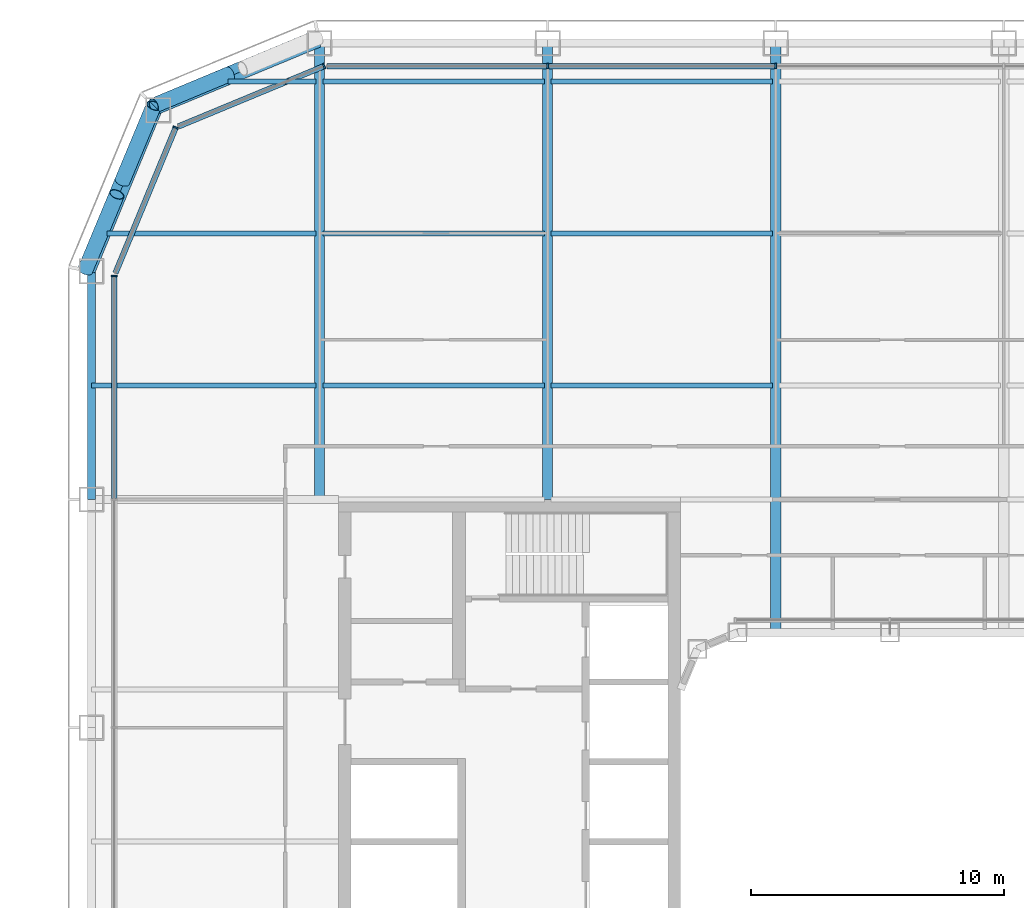
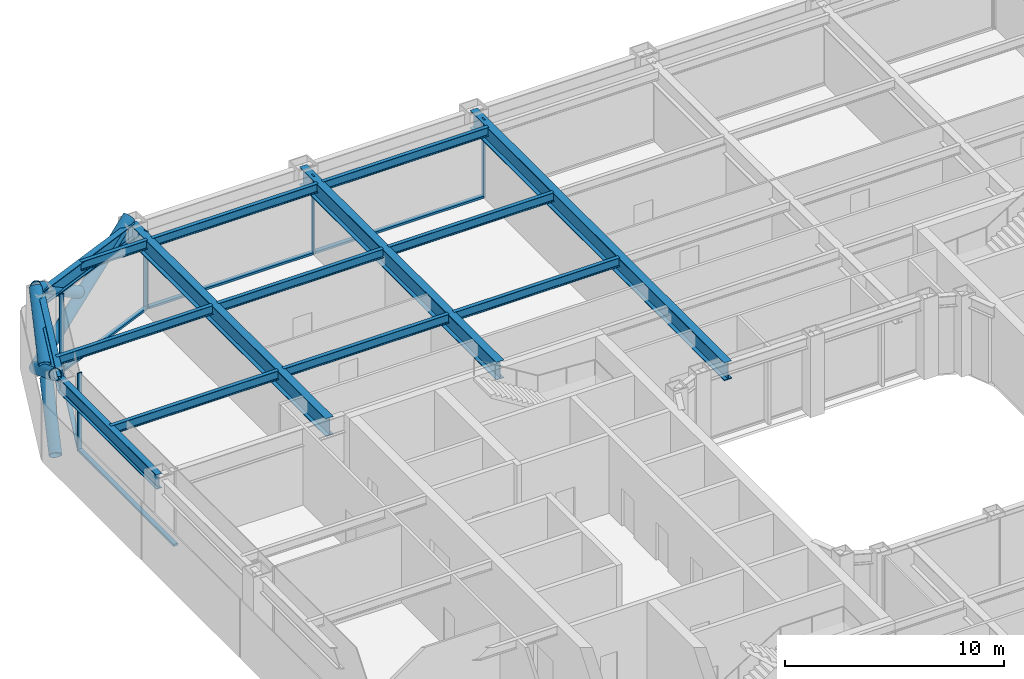
# One storey, part 7 of 27: 15 beams, 15 members, 4 elements without a shape of their own.
"""IFC4 building model written with IfcOpenShell, lengths in metres."""

from ifc_helpers import new_model, si_unit, direction, frame, origin, origin_2d, place, context, subcontext, project, spatial, rectangle, hollow_circle, i_section, extrude, material, layer, layer_set, material_profile, profile_set, type_object, element, aggregate, save


model = new_model("IFC4")

# Units and contexts
model_context = context("Model", 3, precision=1e-05, world=origin(), true_north=direction((0.0, 1.0)))
body_context = subcontext(model_context, "Body", "Model", "MODEL_VIEW")
ifc_project = project(units=[si_unit("LENGTHUNIT", "METRE"), si_unit("AREAUNIT", "SQUARE_METRE"), si_unit("VOLUMEUNIT", "CUBIC_METRE"), si_unit("PLANEANGLEUNIT", "RADIAN"), si_unit("MASSUNIT", "GRAM", prefix="KILO")], contexts=[model_context])

# Site, building, storey
site_placement = place(None, origin())
site = spatial("IfcSite", under=ifc_project, at=site_placement, CompositionType="ELEMENT")
building_placement = place(site_placement, origin())
building = spatial("IfcBuilding", under=site, at=building_placement, Name="Siwar Civic Tower", CompositionType="ELEMENT")
storey_placement = place(building_placement, frame((0.0, 0.0, 53.699951171875)))
storey = spatial("IfcBuildingStorey", under=building, at=storey_placement, Name="L11", CompositionType="ELEMENT", Elevation=53.699951171875)

# Curtain wall, members
ifc_material_1 = material(Name="Aluminium and glass", Category="aluminium")
ifc_layer_1 = layer(ifc_material_1, 0.219970703125)
ifc_layer_set_1 = layer_set([ifc_layer_1], Name="Aluminium and glass")
curtain_wall_type_1 = type_object("IfcCurtainWallType", Name="ENV-CW-A", PredefinedType="NOTDEFINED", material=ifc_layer_set_1)
curtain_wall_1_placement = place(storey_placement, origin())
curtain_wall_1 = element("IfcCurtainWall", 1, at=curtain_wall_1_placement, inside=storey, type_object=curtain_wall_type_1, Name="Curtain wall A N", PredefinedType="NOTDEFINED")
ifc_material_2 = material(Name="Aluminium 6063-T6", Category="aluminium")
ifc_material_profile_1 = material_profile(ifc_material_2, rectangle(XDim=0.219970703125, YDim=0.070068359375, at=origin_2d()), Name="AL 220x70")
ifc_profile_set_1 = profile_set([ifc_material_profile_1], Name="Aluminium 6063-T6")
member_type_1 = type_object("IfcMemberType", Name="ENV-MULLION-A", PredefinedType="MULLION", material=ifc_profile_set_1)
member_1_placement = place(storey_placement, frame((-4.5, 30.60009765625, 0.0), z_axis=(0.0, 0.0, 1.0), x_axis=(0.0, -1.0, 0.0)))
member_1 = element("IfcMember", 2, at=member_1_placement, type_object=member_type_1, Name="Mullion A N 4", PredefinedType="MULLION", context=body_context, shape_type="SweptSolid", body=[
    extrude(rectangle(XDim=0.219970703125, YDim=0.070068359375, at=origin_2d()), origin(), (0.0, 0.0, 1.0), 4.35009765625),
])
member_2_placement = place(storey_placement, frame((-13.5, 30.60009765625, 0.0), z_axis=(0.0, 0.0, 1.0), x_axis=(0.0, -1.0, 0.0)))
member_2 = element("IfcMember", 3, at=member_2_placement, type_object=member_type_1, Name="Mullion A N 5", PredefinedType="MULLION", context=body_context, shape_type="SweptSolid", body=[
    extrude(rectangle(XDim=0.219970703125, YDim=0.070068359375, at=origin_2d()), origin(), (0.0, 0.0, 1.0), 4.35009765625),
])

# Curtain wall, member
ifc_material_3 = material(Name="Aluminium clad insulated panel", Category="aluminium")
ifc_layer_2 = layer(ifc_material_3, 0.219970703125)
ifc_layer_set_2 = layer_set([ifc_layer_2], Name="Aluminium clad insulated panel")
curtain_wall_type_2 = type_object("IfcCurtainWallType", Name="ENV-CW-AX", PredefinedType="NOTDEFINED", material=ifc_layer_set_2)
curtain_wall_2_placement = place(storey_placement, origin())
curtain_wall_2 = element("IfcCurtainWall", 4, at=curtain_wall_2_placement, inside=storey, type_object=curtain_wall_type_2, Name="Curtain wall A NW1", PredefinedType="NOTDEFINED")
member_3_placement = place(storey_placement, frame((-22.321044921875, 30.60009765625, 0.0), z_axis=(0.0, 0.0, 1.0), x_axis=(0.382683432365, -0.923879532511, 0.0)))
member_3 = element("IfcMember", 5, at=member_3_placement, type_object=member_type_1, Name="Mullion A NW1 1", PredefinedType="MULLION", context=body_context, shape_type="SweptSolid", body=[
    extrude(rectangle(XDim=0.219970703125, YDim=0.070068359375, at=origin_2d()), origin(), (0.0, 0.0, 1.0), 4.35009765625),
])

curtain_wall_3_placement = place(storey_placement, origin())
curtain_wall_3 = element("IfcCurtainWall", 6, at=curtain_wall_3_placement, inside=storey, type_object=curtain_wall_type_2, Name="Curtain wall A NW2", PredefinedType="NOTDEFINED")
member_4_placement = place(storey_placement, frame((-28.175048828125, 28.175048828125, 0.0), z_axis=(0.0, 0.0, 1.0), x_axis=(0.923879532511, -0.382683432365, 0.0)))
member_4 = element("IfcMember", 7, at=member_4_placement, type_object=member_type_1, Name="Mullion A NW2 1", PredefinedType="MULLION", context=body_context, shape_type="SweptSolid", body=[
    extrude(rectangle(XDim=0.219970703125, YDim=0.070068359375, at=origin_2d()), origin(), (0.0, 0.0, 1.0), 4.35009765625),
])

curtain_wall_4_placement = place(storey_placement, origin())
curtain_wall_4 = element("IfcCurtainWall", 8, at=curtain_wall_4_placement, inside=storey, type_object=curtain_wall_type_1, Name="Curtain wall A W", PredefinedType="NOTDEFINED")
member_5_placement = place(storey_placement, frame((-30.60009765625, 22.321044921875, 0.0), z_axis=(0.0, 0.0, 1.0), x_axis=(1.0, 0.0, 0.0)))
member_5 = element("IfcMember", 9, at=member_5_placement, type_object=member_type_1, Name="Mullion A W 1", PredefinedType="MULLION", context=body_context, shape_type="SweptSolid", body=[
    extrude(rectangle(XDim=0.219970703125, YDim=0.070068359375, at=origin_2d()), origin(), (0.0, 0.0, 1.0), 4.35009765625),
])

# Member
ifc_material_4 = material(Name="Aluminium 6063-T6", Category="aluminium")
ifc_material_profile_2 = material_profile(ifc_material_4, rectangle(XDim=0.219970703125, YDim=0.1201171875, at=origin_2d()), Name="AL 220x120")
ifc_profile_set_2 = profile_set([ifc_material_profile_2], Name="Aluminium 6063-T6")
member_type_2 = type_object("IfcMemberType", Name="ENV-TRANSOM-A", PredefinedType="USERDEFINED", material=ifc_profile_set_2)
member_6_placement = place(storey_placement, frame((-4.534912109375, 30.60009765625, 0.06005859375), z_axis=(-1.0, 0.0, 0.0), x_axis=(0.0, -1.0, 0.0)))
member_6 = element("IfcMember", 10, at=member_6_placement, type_object=member_type_2, Name="Transom A N 4", ObjectType="TRANSOM", PredefinedType="USERDEFINED", context=body_context, shape_type="SweptSolid", body=[
    extrude(rectangle(XDim=0.219970703125, YDim=0.1201171875, at=origin_2d()), origin(), (0.0, 0.0, 1.0), 8.93017578125),
])

member_7_placement = place(storey_placement, frame((-13.534912109375, 30.60009765625, 0.06005859375), z_axis=(-1.0, 0.0, 0.0), x_axis=(0.0, -1.0, 0.0)))
member_7 = element("IfcMember", 11, at=member_7_placement, type_object=member_type_2, Name="Transom A N 5", ObjectType="TRANSOM", PredefinedType="USERDEFINED", context=body_context, shape_type="SweptSolid", body=[
    extrude(rectangle(XDim=0.219970703125, YDim=0.1201171875, at=origin_2d()), origin(), (0.0, 0.0, 1.0), 8.66357421875),
])

aggregate(curtain_wall_1, [member_1, member_2, member_6, member_7])

member_8_placement = place(storey_placement, frame((-22.353271484375, 30.586669921875, 0.06005859375), z_axis=(-0.923873326341, -0.382698415042, 0.0), x_axis=(0.382698415042, -0.923873326341, 0.0)))
member_8 = element("IfcMember", 12, at=member_8_placement, type_object=member_type_2, Name="Transom A NW1 1", ObjectType="TRANSOM", PredefinedType="USERDEFINED", context=body_context, shape_type="SweptSolid", body=[
    extrude(rectangle(XDim=0.219970703125, YDim=0.1201171875, at=origin_2d()), origin(), (0.0, 0.0, 1.0), 6.17919921875),
])

aggregate(curtain_wall_2, [member_3, member_8])

member_9_placement = place(storey_placement, frame((-28.1884765625, 28.142822265625, 0.06005859375), z_axis=(-0.382698415042, -0.923873326341, 0.0), x_axis=(0.923873326341, -0.382698415042, 0.0)))
member_9 = element("IfcMember", 13, at=member_9_placement, type_object=member_type_2, Name="Transom A NW2 1", ObjectType="TRANSOM", PredefinedType="USERDEFINED", context=body_context, shape_type="SweptSolid", body=[
    extrude(rectangle(XDim=0.219970703125, YDim=0.1201171875, at=origin_2d()), origin(), (0.0, 0.0, 1.0), 6.17919921875),
])

aggregate(curtain_wall_3, [member_4, member_9])

member_10_placement = place(storey_placement, frame((-30.60009765625, 22.285888671875, 0.06005859375), z_axis=(0.0, -1.0, 0.0), x_axis=(1.0, 0.0, 0.0)))
member_10 = element("IfcMember", 14, at=member_10_placement, type_object=member_type_2, Name="Transom A W 1", ObjectType="TRANSOM", PredefinedType="USERDEFINED", context=body_context, shape_type="SweptSolid", body=[
    extrude(rectangle(XDim=0.219970703125, YDim=0.1201171875, at=origin_2d()), origin(), (0.0, 0.0, 1.0), 8.7509765625),
])

aggregate(curtain_wall_4, [member_5, member_10])

# Members
ifc_material_5 = material(Name="Steel S355", Category="steel")
ifc_material_profile_3 = material_profile(ifc_material_5, hollow_circle(Radius=0.304931640625, WallThickness=0.030029296875, at=origin_2d()), Name="CHS610x30")
ifc_profile_set_3 = profile_set([ifc_material_profile_3], Name="Steel S355")
member_type_3 = type_object("IfcMemberType", Name="STR-BR-CHS610x30", PredefinedType="BRACE", material=ifc_profile_set_3)
member_11_placement = place(storey_placement, frame((-29.040771484375, 29.040771484375, 0.0), z_axis=(-0.323905527954, -0.777554562952, 0.538975055633), x_axis=(0.923108759191, -0.384538969033, 0.0)))
element("IfcMember", 15, at=member_11_placement, inside=storey, type_object=member_type_3, Name="L11/brc/ANW1-10-0-1", PredefinedType="BRACE", context=body_context, shape_type="SweptSolid", body=[
    extrude(hollow_circle(Radius=0.304931640625, WallThickness=0.030029296875, at=origin_2d()), origin(), (0.0, 0.0, 1.0), 8.34912109375),
])
member_12_placement = place(storey_placement, frame((-31.7451171875, 22.548828125, 0.0), z_axis=(0.323882123145, 0.777533059308, 0.539020140617), x_axis=(-0.923114847559, 0.384524353215, 0.0)))
element("IfcMember", 16, at=member_12_placement, inside=storey, type_object=member_type_3, Name="L11/brc/ANW1-10-0-2", PredefinedType="BRACE", context=body_context, shape_type="SweptSolid", body=[
    extrude(hollow_circle(Radius=0.304931640625, WallThickness=0.030029296875, at=origin_2d()), origin(), (0.0, 0.0, 1.0), 3.843505859375),
])
member_13_placement = place(storey_placement, frame((-30.285888671875, 26.052001953125, 2.428466796875), z_axis=(0.323934068367, 0.777568797048, 0.538937366685), x_axis=(-0.923099230484, 0.384561842466, 0.0)))
element("IfcMember", 17, at=member_13_placement, inside=storey, type_object=member_type_3, Name="L11/brc/ANW1-10-0-3", PredefinedType="BRACE", context=body_context, shape_type="SweptSolid", body=[
    extrude(hollow_circle(Radius=0.304931640625, WallThickness=0.030029296875, at=origin_2d()), origin(), (0.0, 0.0, 1.0), 3.84375),
])
member_14_placement = place(storey_placement, frame((-29.040771484375, 29.040771484375, 0.0), z_axis=(0.777554562952, 0.323905527954, 0.538975055633), x_axis=(-0.384538969033, 0.923108759191, 0.0)))
element("IfcMember", 18, at=member_14_placement, inside=storey, type_object=member_type_3, Name="L11/brc/ANW1-10-0-0", PredefinedType="BRACE", context=body_context, shape_type="SweptSolid", body=[
    extrude(hollow_circle(Radius=0.304931640625, WallThickness=0.030029296875, at=origin_2d()), origin(), (0.0, 0.0, 1.0), 8.34912109375),
])
member_15_placement = place(storey_placement, frame((-26.052001953125, 30.285888671875, 2.428466796875), z_axis=(-0.777568797048, -0.323934068367, 0.538937366685), x_axis=(0.384561842466, -0.923099230484, 0.0)))
element("IfcMember", 19, at=member_15_placement, inside=storey, type_object=member_type_3, Name="L11/brc/ANW1-10-0-5", PredefinedType="BRACE", context=body_context, shape_type="SweptSolid", body=[
    extrude(hollow_circle(Radius=0.304931640625, WallThickness=0.030029296875, at=origin_2d()), origin(), (0.0, 0.0, 1.0), 3.84375),
])

# Beams
ifc_material_6 = material(Name="Steel S355", Category="steel")
ifc_material_profile_4 = material_profile(ifc_material_6, i_section(OverallWidth=0.199951171875, OverallDepth=0.5, WebThickness=0.01025390625, FlangeThickness=0.01611328125, FilletRadius=0.02099609375, at=origin_2d()), Name="IPE500")
ifc_profile_set_4 = profile_set([ifc_material_profile_4], Name="Steel S355")
beam_type_1 = type_object("IfcBeamType", Name="STR-FB-IPE500", PredefinedType="JOIST", material=ifc_profile_set_4)
beam_1_placement = place(storey_placement, frame((-31.5, 18.0, 4.10009765625), z_axis=(1.0, 0.0, 0.0), x_axis=(0.0, 1.0, 0.0)))
element("IfcBeam", 20, at=beam_1_placement, inside=storey, type_object=beam_type_1, Name="L11/bm/F046", PredefinedType="JOIST", context=body_context, shape_type="SweptSolid", body=[
    extrude(i_section(OverallWidth=0.199951171875, OverallDepth=0.5, WebThickness=0.01025390625, FlangeThickness=0.01611328125, FilletRadius=0.02099609375, at=origin_2d()), origin(), (0.0, 0.0, 1.0), 8.8701171875),
])
for number, where, z_axis, x_axis, name in (
    (21, (-22.3701171875, 18.0, 4.10009765625), (1.0, 0.0, 0.0), (0.0, 1.0, 0.0), "L11/bm/F047"),
    (22, (-13.3701171875, 18.0, 4.10009765625), (1.0, 0.0, 0.0), (0.0, 1.0, 0.0), "L11/bm/F048"),
):
    element("IfcBeam", number, at=place(storey_placement, frame(where, z_axis=z_axis, x_axis=x_axis)), inside=storey, type_object=beam_type_1, Name=name, PredefinedType="JOIST", context=body_context, shape_type="SweptSolid", body=[
        extrude(i_section(OverallWidth=0.199951171875, OverallDepth=0.5, WebThickness=0.01025390625, FlangeThickness=0.01611328125, FilletRadius=0.02099609375, at=origin_2d()), origin(), (0.0, 0.0, 1.0), 8.740234375),
    ])
beam_2_placement = place(storey_placement, frame((-30.878662109375, 24.0, 4.10009765625), z_axis=(1.0, 0.0, 0.0), x_axis=(0.0, 1.0, 0.0)))
element("IfcBeam", 23, at=beam_2_placement, inside=storey, type_object=beam_type_1, Name="L11/bm/F053", PredefinedType="JOIST", context=body_context, shape_type="SweptSolid", body=[
    extrude(i_section(OverallWidth=0.199951171875, OverallDepth=0.5, WebThickness=0.01025390625, FlangeThickness=0.01611328125, FilletRadius=0.02099609375, at=origin_2d()), origin(), (0.0, 0.0, 1.0), 8.248779296875),
])
for number, where, z_axis, x_axis, name in (
    (24, (-22.3701171875, 24.0, 4.10009765625), (1.0, 0.0, 0.0), (0.0, 1.0, 0.0), "L11/bm/F054"),
    (25, (-13.3701171875, 24.0, 4.10009765625), (1.0, 0.0, 0.0), (0.0, 1.0, 0.0), "L11/bm/F055"),
):
    element("IfcBeam", number, at=place(storey_placement, frame(where, z_axis=z_axis, x_axis=x_axis)), inside=storey, type_object=beam_type_1, Name=name, PredefinedType="JOIST", context=body_context, shape_type="SweptSolid", body=[
        extrude(i_section(OverallWidth=0.199951171875, OverallDepth=0.5, WebThickness=0.01025390625, FlangeThickness=0.01611328125, FilletRadius=0.02099609375, at=origin_2d()), origin(), (0.0, 0.0, 1.0), 8.740234375),
    ])
beam_3_placement = place(storey_placement, frame((-26.121337890625, 30.0, 4.10009765625), z_axis=(1.0, 0.0, 0.0), x_axis=(0.0, 1.0, 0.0)))
element("IfcBeam", 26, at=beam_3_placement, inside=storey, type_object=beam_type_1, Name="L11/bm/F060", PredefinedType="JOIST", context=body_context, shape_type="SweptSolid", body=[
    extrude(i_section(OverallWidth=0.199951171875, OverallDepth=0.5, WebThickness=0.01025390625, FlangeThickness=0.01611328125, FilletRadius=0.02099609375, at=origin_2d()), origin(), (0.0, 0.0, 1.0), 3.491455078125),
])
for number, where, z_axis, x_axis, name in (
    (27, (-22.3701171875, 30.0, 4.10009765625), (1.0, 0.0, 0.0), (0.0, 1.0, 0.0), "L11/bm/F061"),
    (28, (-13.3701171875, 30.0, 4.10009765625), (1.0, 0.0, 0.0), (0.0, 1.0, 0.0), "L11/bm/F062"),
):
    element("IfcBeam", number, at=place(storey_placement, frame(where, z_axis=z_axis, x_axis=x_axis)), inside=storey, type_object=beam_type_1, Name=name, PredefinedType="JOIST", context=body_context, shape_type="SweptSolid", body=[
        extrude(i_section(OverallWidth=0.199951171875, OverallDepth=0.5, WebThickness=0.01025390625, FlangeThickness=0.01611328125, FilletRadius=0.02099609375, at=origin_2d()), origin(), (0.0, 0.0, 1.0), 8.740234375),
    ])
ifc_material_7 = material(Name="Steel S355", Category="steel")
ifc_material_profile_5 = material_profile(ifc_material_7, i_section(OverallWidth=0.39990234375, OverallDepth=1.0, WebThickness=0.01611328125, FlangeThickness=0.0400390625, at=origin_2d()), Name="PG1000x400x16x40")
ifc_profile_set_5 = profile_set([ifc_material_profile_5], Name="Steel S355")
beam_type_2 = type_object("IfcBeamType", Name="STR-PG-PG1000x400x16x40", PredefinedType="BEAM", material=ifc_profile_set_5)
for number, where, z_axis, x_axis, name in (
    (29, (-22.5, 13.5, 3.85009765625), (0.0, 1.0, 0.0), (-1.0, 0.0, 0.0), "L11/bm/G02"),
    (30, (-13.5, 13.5, 3.85009765625), (0.0, 1.0, 0.0), (-1.0, 0.0, 0.0), "L11/bm/G04"),
):
    element("IfcBeam", number, at=place(storey_placement, frame(where, z_axis=z_axis, x_axis=x_axis)), inside=storey, type_object=beam_type_2, Name=name, PredefinedType="BEAM", context=body_context, shape_type="SweptSolid", body=[
        extrude(i_section(OverallWidth=0.39990234375, OverallDepth=1.0, WebThickness=0.01611328125, FlangeThickness=0.0400390625, at=origin_2d()), origin(), (0.0, 0.0, 1.0), 18.0),
    ])
beam_4_placement = place(storey_placement, frame((-4.5, 8.25, 3.85009765625), z_axis=(0.0, 1.0, 0.0), x_axis=(-1.0, 0.0, 0.0)))
element("IfcBeam", 31, at=beam_4_placement, inside=storey, type_object=beam_type_2, Name="L11/bm/G06", PredefinedType="BEAM", context=body_context, shape_type="SweptSolid", body=[
    extrude(i_section(OverallWidth=0.39990234375, OverallDepth=1.0, WebThickness=0.01611328125, FlangeThickness=0.0400390625, at=origin_2d()), origin(), (0.0, 0.0, 1.0), 23.25),
])
ifc_material_8 = material(Name="Steel S355", Category="steel")
ifc_material_profile_6 = material_profile(ifc_material_8, i_section(OverallWidth=0.302978515625, OverallDepth=0.81396484375, WebThickness=0.02099609375, FlangeThickness=0.0400390625, FilletRadius=0.030029296875, at=origin_2d()), Name="HEM800")
ifc_profile_set_6 = profile_set([ifc_material_profile_6], Name="Steel S355")
beam_type_3 = type_object("IfcBeamType", Name="STR-SB-HEM800", PredefinedType="BEAM", material=ifc_profile_set_6)
for number, where, z_axis, x_axis, name in (
    (32, (-22.5, 31.5, 3.943115234375), (-0.923883353507, -0.382674207535, 0.0), (0.382674207535, -0.923883353507, 0.0), "L11/bm/SNW1-0"),
    (33, (-28.864013671875, 28.864013671875, 3.943115234375), (-0.382674207535, -0.923883353507, 0.0), (0.923883353507, -0.382674207535, 0.0), "L11/bm/SNW2-0"),
):
    element("IfcBeam", number, at=place(storey_placement, frame(where, z_axis=z_axis, x_axis=x_axis)), inside=storey, type_object=beam_type_3, Name=name, PredefinedType="BEAM", context=body_context, shape_type="SweptSolid", body=[
        extrude(i_section(OverallWidth=0.302978515625, OverallDepth=0.81396484375, WebThickness=0.02099609375, FlangeThickness=0.0400390625, FilletRadius=0.030029296875, at=origin_2d()), origin(), (0.0, 0.0, 1.0), 6.888427734375),
    ])
beam_5_placement = place(storey_placement, frame((-31.5, 22.5, 3.943115234375), z_axis=(0.0, -1.0, 0.0), x_axis=(1.0, 0.0, 0.0)))
element("IfcBeam", 34, at=beam_5_placement, inside=storey, type_object=beam_type_3, Name="L11/bm/SW-0", PredefinedType="BEAM", context=body_context, shape_type="SweptSolid", body=[
    extrude(i_section(OverallWidth=0.302978515625, OverallDepth=0.81396484375, WebThickness=0.02099609375, FlangeThickness=0.0400390625, FilletRadius=0.030029296875, at=origin_2d()), origin(), (0.0, 0.0, 1.0), 9.0),
])

save(model, "model.ifc")
